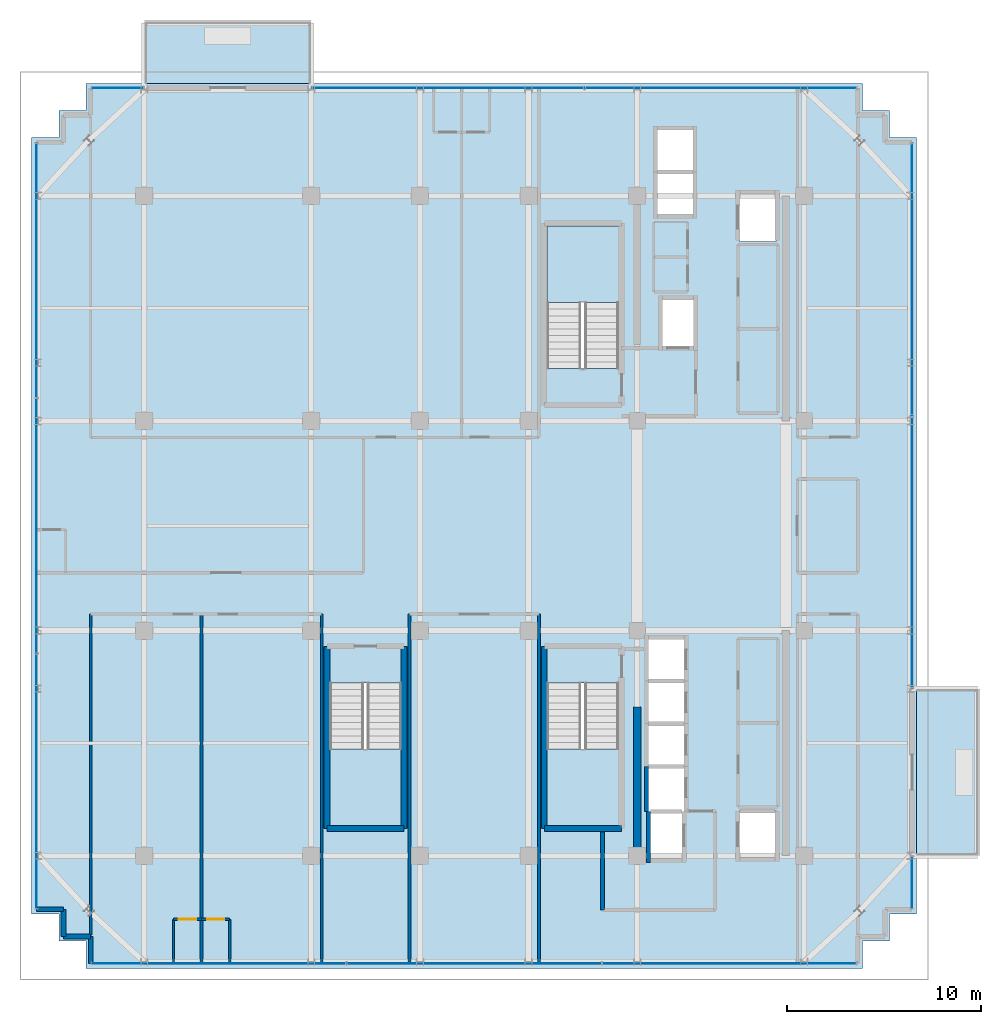
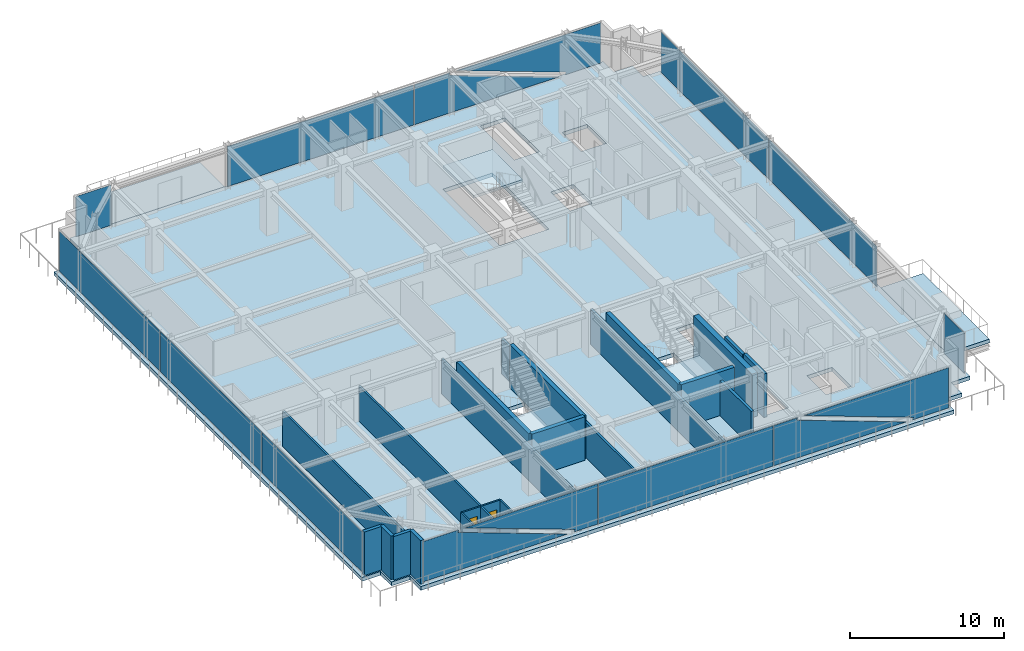
# One storey, part 23 of 32: 22 walls, 12 plates, 6 slabs, 2 doors, 2 openings, 9 elements without a shape of their own.
"""IFC4 building model written with IfcOpenShell, lengths in metres."""

from ifc_helpers import new_model, si_unit, direction, frame, frame_2d, origin, origin_2d, place, context, subcontext, project, spatial, polyline, rectangle, outline, extrude, source, transform, mapped, material, layer, layer_set, type_object, element, fill, aggregate, save


model = new_model("IFC4")

# Units and contexts
model_context = context("Model", 3, precision=1e-05, world=origin(), true_north=direction((0.0, 1.0)))
body_context = subcontext(model_context, "Body", "Model", "MODEL_VIEW")
ifc_project = project(units=[si_unit("LENGTHUNIT", "METRE"), si_unit("AREAUNIT", "SQUARE_METRE"), si_unit("VOLUMEUNIT", "CUBIC_METRE"), si_unit("PLANEANGLEUNIT", "RADIAN"), si_unit("MASSUNIT", "GRAM", prefix="KILO")], contexts=[model_context])

# Site, building, storey
site_placement = place(None, origin())
site = spatial("IfcSite", under=ifc_project, at=site_placement, CompositionType="ELEMENT")
building_placement = place(site_placement, origin())
building = spatial("IfcBuilding", under=site, at=building_placement, Name="Nahalor Promenade Grand Hotel", CompositionType="ELEMENT")
storey_placement = place(building_placement, frame((0.0, 0.0, 266.300048828125)))
storey = spatial("IfcBuildingStorey", under=building, at=storey_placement, Name="L68", CompositionType="ELEMENT", Elevation=266.300048828125)

# Curtain wall, plates
ifc_material_1 = material(Name="Anodised Bronze Aluminium EN AW-6063 T6", Category="aluminium")
curtain_wall_type = type_object("IfcCurtainWallType", Name="CW2 Typical Hotel Flush Bronze Unitised Curtain Wall", PredefinedType="USERDEFINED", material=ifc_material_1)
curtain_wall_1_placement = place(storey_placement, origin())
curtain_wall_1 = element("IfcCurtainWall", 1, at=curtain_wall_1_placement, inside=storey, type_object=curtain_wall_type, Name="L68 Curtain Wall CW-L68-S-1", ObjectType="UNITISED_CURTAIN_WALL", PredefinedType="USERDEFINED")
ifc_material_2 = material(Name="Low-E Laminated Solar Glass", Category="glass")
ifc_layer_1 = layer(ifc_material_2, 0.028076171875)
ifc_layer_set_1 = layer_set([ifc_layer_1], Name="Low-E Laminated Solar Glass")
plate_type = type_object("IfcPlateType", Name="CWP2 Bronze Low-E Vision IGU 28mm", PredefinedType="CURTAIN_PANEL", material=ifc_layer_set_1)
plate_1_placement = place(storey_placement, frame((-13.156982421875, -22.56005859375, 0.1298828125), z_axis=(0.0, 0.0, 1.0), x_axis=(1.0, 0.0, 0.0)))
plate_1 = element("IfcPlate", 2, at=plate_1_placement, type_object=plate_type, Name="CW-L68-S-1 Glazing Panel 0-0", PredefinedType="CURTAIN_PANEL", context=body_context, shape_type="SweptSolid", body=[
    extrude(outline(polyline([(-6.537841796875, 3.18994140625), (-6.537841796875, 0.0), (4.302978515625, 0.0), (-3.926513671875, 3.01416015625), (-3.8623046875, 3.18994140625), (-6.537841796875, 3.18994140625)])), frame((0.0, 0.01416015625, 0.0), z_axis=(0.0, -1.0, 0.0), x_axis=(1.0, 0.0, 0.0)), (0.0, 0.0, 1.0), 0.028076171875),
    extrude(outline(polyline([(6.537841796875, 0.0), (6.537841796875, 3.18994140625), (-3.388671875, 3.18994140625), (4.8408203125, 0.17578125), (4.7763671875, 0.0), (6.537841796875, 0.0)])), frame((0.0, 0.01416015625, 0.0), z_axis=(0.0, -1.0, 0.0), x_axis=(1.0, 0.0, 0.0)), (0.0, 0.0, 1.0), 0.028076171875),
])
plate_2_placement = place(storey_placement, frame((13.156982421875, -22.56005859375, 0.1298828125), z_axis=(0.0, 0.0, 1.0), x_axis=(1.0, 0.0, 0.0)))
plate_2 = element("IfcPlate", 3, at=plate_2_placement, type_object=plate_type, Name="CW-L68-S-1 Glazing Panel 2-0", PredefinedType="CURTAIN_PANEL", context=body_context, shape_type="SweptSolid", body=[
    extrude(outline(polyline([(-6.537841796875, 3.18994140625), (-6.537841796875, 0.0), (3.388671875, 0.0), (-4.8408203125, 3.01416015625), (-4.7763671875, 3.18994140625), (-6.537841796875, 3.18994140625)])), frame((0.0, 0.01416015625, 0.0), z_axis=(0.0, -1.0, 0.0), x_axis=(1.0, 0.0, 0.0)), (0.0, 0.0, 1.0), 0.028076171875),
    extrude(outline(polyline([(6.537841796875, 0.0), (6.537841796875, 3.18994140625), (-4.302978515625, 3.18994140625), (3.926513671875, 0.17578125), (3.8623046875, 0.0), (6.537841796875, 0.0)])), frame((0.0, 0.01416015625, 0.0), z_axis=(0.0, -1.0, 0.0), x_axis=(1.0, 0.0, 0.0)), (0.0, 0.0, 1.0), 0.028076171875),
])

# Curtain wall, plate
curtain_wall_2_placement = place(storey_placement, origin())
curtain_wall_2 = element("IfcCurtainWall", 4, at=curtain_wall_2_placement, inside=storey, type_object=curtain_wall_type, Name="L68 Curtain Wall CW-L68-N-3", ObjectType="UNITISED_CURTAIN_WALL", PredefinedType="USERDEFINED")
plate_3_placement = place(storey_placement, frame((12.703857421875, 22.56005859375, 0.1298828125), z_axis=(0.0, 0.0, 1.0), x_axis=(1.0, 0.0, 0.0)))
plate_3 = element("IfcPlate", 5, at=plate_3_placement, type_object=plate_type, Name="CW-L68-N-3 Glazing Panel 1-0", PredefinedType="CURTAIN_PANEL", context=body_context, shape_type="SweptSolid", body=[
    extrude(outline(polyline([(-6.9912109375, 3.18994140625), (-6.9912109375, 0.0), (3.842041015625, 0.0), (-4.387451171875, 3.01416015625), (-4.322998046875, 3.18994140625), (-6.9912109375, 3.18994140625)])), frame((0.0, 0.01416015625, 0.0), z_axis=(0.0, -1.0, 0.0), x_axis=(1.0, 0.0, 0.0)), (0.0, 0.0, 1.0), 0.028076171875),
    extrude(outline(polyline([(6.9912109375, 0.0), (6.9912109375, 3.18994140625), (-3.849609375, 3.18994140625), (4.3798828125, 0.17578125), (4.3154296875, 0.0), (6.9912109375, 0.0)])), frame((0.0, 0.01416015625, 0.0), z_axis=(0.0, -1.0, 0.0), x_axis=(1.0, 0.0, 0.0)), (0.0, 0.0, 1.0), 0.028076171875),
])

# Stair, slab
ifc_material_3 = material(Name="Concrete B-50 (C40/50)", Category="concrete")
stair_type_1 = type_object("IfcStairType", Name="Stair-ST1", PredefinedType="HALF_TURN_STAIR", material=ifc_material_3)
stair_1_placement = place(storey_placement, origin())
stair_1 = element("IfcStair", 6, at=stair_1_placement, inside=storey, type_object=stair_type_1, Name="L68 ST1", PredefinedType="HALF_TURN_STAIR")
ifc_layer_2 = layer(ifc_material_3, 0.199951171875)
ifc_layer_set_2 = layer_set([ifc_layer_2], Name="Concrete B-50 (C40/50)")
slab_type_1 = type_object("IfcSlabType", Name="Landing-ST1", PredefinedType="LANDING", material=ifc_layer_set_2)
slab_1_placement = place(storey_placement, frame((0.0, 0.0, 1.675048828125)))
slab_1 = element("IfcSlab", 7, at=slab_1_placement, type_object=slab_type_1, Name="ST1 landing 1", PredefinedType="LANDING", context=body_context, shape_type="SweptSolid", body=[
    extrude(outline(polyline([(7.449951171875, 11.5), (7.449951171875, 15.449951171875), (3.75, 15.449951171875), (3.75, 11.5), (7.449951171875, 11.5)])), origin(), (0.0, 0.0, 1.0), 0.199951171875),
])
aggregate(stair_1, [slab_1])

stair_type_2 = type_object("IfcStairType", Name="Stair-ST2", PredefinedType="HALF_TURN_STAIR", material=ifc_material_3)
stair_2_placement = place(storey_placement, origin())
stair_2 = element("IfcStair", 8, at=stair_2_placement, inside=storey, type_object=stair_type_2, Name="L68 ST2", PredefinedType="HALF_TURN_STAIR")
ifc_layer_3 = layer(ifc_material_3, 0.2099609375)
ifc_layer_set_3 = layer_set([ifc_layer_3], Name="Concrete B-50 (C40/50)")
slab_type_2 = type_object("IfcSlabType", Name="Landing-ST2", PredefinedType="LANDING", material=ifc_layer_set_3)
slab_2_placement = place(storey_placement, frame((0.0, 0.0, 1.6650390625)))
slab_2 = element("IfcSlab", 9, at=slab_2_placement, type_object=slab_type_2, Name="ST2 landing 1", PredefinedType="LANDING", context=body_context, shape_type="SweptSolid", body=[
    extrude(outline(polyline([(3.75, -11.5), (3.75, -15.449951171875), (7.449951171875, -15.449951171875), (7.449951171875, -11.5), (3.75, -11.5)])), origin(), (0.0, 0.0, 1.0), 0.2099609375),
])
aggregate(stair_2, [slab_2])

stair_type_3 = type_object("IfcStairType", Name="Stair-ST3", PredefinedType="HALF_TURN_STAIR", material=ifc_material_3)
stair_3_placement = place(storey_placement, origin())
stair_3 = element("IfcStair", 10, at=stair_3_placement, inside=storey, type_object=stair_type_3, Name="L68 ST3", PredefinedType="HALF_TURN_STAIR")
ifc_layer_4 = layer(ifc_material_3, 0.219970703125)
ifc_layer_set_4 = layer_set([ifc_layer_4], Name="Concrete B-50 (C40/50)")
slab_type_3 = type_object("IfcSlabType", Name="Landing-ST3", PredefinedType="LANDING", material=ifc_layer_set_4)
slab_3_placement = place(storey_placement, frame((0.0, 0.0, 1.655029296875)))
slab_3 = element("IfcSlab", 11, at=slab_3_placement, type_object=slab_type_3, Name="ST3 landing 1", PredefinedType="LANDING", context=body_context, shape_type="SweptSolid", body=[
    extrude(outline(polyline([(-7.449951171875, -11.5), (-7.449951171875, -15.449951171875), (-3.75, -15.449951171875), (-3.75, -11.5), (-7.449951171875, -11.5)])), origin(), (0.0, 0.0, 1.0), 0.219970703125),
])
aggregate(stair_3, [slab_3])

# Slabs
ifc_layer_5 = layer(ifc_material_3, 0.280029296875)
ifc_layer_set_5 = layer_set([ifc_layer_5], Name="Concrete B-50 (C40/50)")
slab_type_4 = type_object("IfcSlabType", Name="Slab-Balcony-280", PredefinedType="FLOOR", material=ifc_layer_set_5)
slab_4_placement = place(storey_placement, frame((0.0, 0.0, -0.280029296875)))
element("IfcSlab", 12, at=slab_4_placement, inside=storey, type_object=slab_type_4, Name="L68 Cantilevered Planted Balcony 1", PredefinedType="FLOOR", context=body_context, shape_type="SweptSolid", body=[
    extrude(outline(polyline([(-17.0, 22.800048828125), (-8.39990234375, 22.800048828125), (-8.39990234375, 25.989990234375), (-17.0, 25.989990234375), (-17.0, 22.800048828125)])), origin(), (0.0, 0.0, 1.0), 0.280029296875),
])
slab_5_placement = place(storey_placement, frame((0.0, 0.0, -0.280029296875)))
element("IfcSlab", 13, at=slab_5_placement, inside=storey, type_object=slab_type_4, Name="L68 Cantilevered Planted Balcony 2", PredefinedType="FLOOR", context=body_context, shape_type="SweptSolid", body=[
    extrude(outline(polyline([(22.800048828125, -17.0), (26.0, -17.0), (26.0, -8.39990234375), (22.800048828125, -8.39990234375), (22.800048828125, -17.0)])), origin(), (0.0, 0.0, 1.0), 0.280029296875),
])
ifc_layer_6 = layer(ifc_material_3, 0.300048828125)
ifc_layer_set_6 = layer_set([ifc_layer_6], Name="Concrete B-50 (C40/50)")
slab_type_5 = type_object("IfcSlabType", Name="Slab-TowerZ5-300", PredefinedType="FLOOR", material=ifc_layer_set_6)
slab_6_placement = place(storey_placement, frame((0.0, 0.0, -0.300048828125)))
element("IfcSlab", 14, at=slab_6_placement, inside=storey, type_object=slab_type_5, Name="L68 Suspended Structural Floor Slab", PredefinedType="FLOOR", context=body_context, shape_type="SweptSolid", body=[
    extrude(outline(polyline([(-20.0, -22.800048828125), (20.0, -22.800048828125), (20.0, -21.39990234375), (21.39990234375, -21.39990234375), (21.39990234375, -20.0), (22.800048828125, -20.0), (22.800048828125, 20.0), (21.39990234375, 20.0), (21.39990234375, 21.39990234375), (20.0, 21.39990234375), (20.0, 22.800048828125), (-20.0, 22.800048828125), (-20.0, 21.39990234375), (-21.39990234375, 21.39990234375), (-21.39990234375, 20.0), (-22.800048828125, 20.0), (-22.800048828125, -20.0), (-21.39990234375, -20.0), (-21.39990234375, -21.39990234375), (-20.0, -21.39990234375), (-20.0, -22.800048828125)]), holes=[polyline([(3.75, 8.10009765625), (7.449951171875, 8.10009765625), (7.449951171875, 15.449951171875), (3.75, 15.449951171875), (3.75, 8.10009765625)]), polyline([(3.75, -15.449951171875), (7.449951171875, -15.449951171875), (7.449951171875, -8.10009765625), (3.75, -8.10009765625), (3.75, -15.449951171875)]), polyline([(-7.449951171875, -15.449951171875), (-3.75, -15.449951171875), (-3.75, -8.10009765625), (-7.449951171875, -8.10009765625), (-7.449951171875, -15.449951171875)]), polyline([(8.9599609375, -17.18994140625), (10.840087890625, -17.18994140625), (10.840087890625, -5.81005859375), (8.9599609375, -5.81005859375), (8.9599609375, -17.18994140625)]), polyline([(9.409912109375, 16.010009765625), (11.2900390625, 16.010009765625), (11.2900390625, 20.43994140625), (9.409912109375, 20.43994140625), (9.409912109375, 16.010009765625)]), polyline([(9.659912109375, 9.2099609375), (11.340087890625, 9.2099609375), (11.340087890625, 11.68994140625), (9.659912109375, 11.68994140625), (9.659912109375, 9.2099609375)]), polyline([(13.659912109375, 14.659912109375), (15.5400390625, 14.659912109375), (15.5400390625, 17.139892578125), (13.659912109375, 17.139892578125), (13.659912109375, 14.659912109375)]), polyline([(13.659912109375, -17.139892578125), (15.5400390625, -17.139892578125), (15.5400390625, -14.659912109375), (13.659912109375, -14.659912109375), (13.659912109375, -17.139892578125)])]), origin(), (0.0, 0.0, 1.0), 0.300048828125),
])

# Plate
shared_shape_1 = source(origin(), body_context, "Body", "SweptSolid", [
    extrude(rectangle(XDim=13.1083984375, YDim=0.028076171875, at=origin_2d()), origin(), (0.0, 0.0, 1.0), 3.18994140625),
])
plate_4_placement = place(storey_placement, frame((0.0, -22.56005859375, 0.1298828125), z_axis=(0.0, 0.0, 1.0), x_axis=(1.0, 0.0, 0.0)))
plate_4 = element("IfcPlate", 15, at=plate_4_placement, type_object=plate_type, Name="CW-L68-S-1 Glazing Panel 1-0", PredefinedType="CURTAIN_PANEL", context=body_context, shape_type="MappedRepresentation", body=[
    mapped(shared_shape_1, transform((0.0, 0.0, 0.0), scale=1.0)),
])

aggregate(curtain_wall_1, [plate_1, plate_4, plate_2])

# Curtain wall, plate
curtain_wall_3_placement = place(storey_placement, origin())
curtain_wall_3 = element("IfcCurtainWall", 16, at=curtain_wall_3_placement, inside=storey, type_object=curtain_wall_type, Name="L68 Curtain Wall CW-L68-W-1", ObjectType="UNITISED_CURTAIN_WALL", PredefinedType="USERDEFINED")
plate_5_placement = place(storey_placement, frame((-22.56005859375, 0.0, 0.1298828125), z_axis=(0.0, 0.0, 1.0), x_axis=(0.0, 1.0, 0.0)))
plate_5 = element("IfcPlate", 17, at=plate_5_placement, type_object=plate_type, Name="CW-L68-W-1 Glazing Panel 1-0", PredefinedType="CURTAIN_PANEL", context=body_context, shape_type="MappedRepresentation", body=[
    mapped(shared_shape_1, transform((0.0, 0.0, 0.0), scale=1.0)),
])

curtain_wall_4_placement = place(storey_placement, origin())
curtain_wall_4 = element("IfcCurtainWall", 18, at=curtain_wall_4_placement, inside=storey, type_object=curtain_wall_type, Name="L68 Curtain Wall CW-L68-N-1", ObjectType="UNITISED_CURTAIN_WALL", PredefinedType="USERDEFINED")
shared_shape_2 = source(origin(), body_context, "Body", "SweptSolid", [
    extrude(rectangle(XDim=2.6298828125, YDim=0.028076171875, at=origin_2d()), origin(), (0.0, 0.0, 1.0), 3.18994140625),
])
plate_6_placement = place(storey_placement, frame((-18.3798828125, 22.56005859375, 0.1298828125), z_axis=(0.0, 0.0, 1.0), x_axis=(1.0, 0.0, 0.0)))
plate_6 = element("IfcPlate", 19, at=plate_6_placement, type_object=plate_type, Name="CW-L68-N-1 Glazing Panel 0-0", PredefinedType="CURTAIN_PANEL", context=body_context, shape_type="MappedRepresentation", body=[
    mapped(shared_shape_2, transform((0.0, 0.0, 0.0), scale=1.0)),
])
aggregate(curtain_wall_4, [plate_6])

curtain_wall_5_placement = place(storey_placement, origin())
curtain_wall_5 = element("IfcCurtainWall", 20, at=curtain_wall_5_placement, inside=storey, type_object=curtain_wall_type, Name="L68 Curtain Wall CW-L68-E-1", ObjectType="UNITISED_CURTAIN_WALL", PredefinedType="USERDEFINED")
plate_7_placement = place(storey_placement, frame((22.56005859375, -18.3798828125, 0.1298828125), z_axis=(0.0, 0.0, 1.0), x_axis=(0.0, 1.0, 0.0)))
plate_7 = element("IfcPlate", 21, at=plate_7_placement, type_object=plate_type, Name="CW-L68-E-1 Glazing Panel 0-0", PredefinedType="CURTAIN_PANEL", context=body_context, shape_type="MappedRepresentation", body=[
    mapped(shared_shape_2, transform((0.0, 0.0, 0.0), scale=1.0)),
])
aggregate(curtain_wall_5, [plate_7])

# Plate
shared_shape_3 = source(origin(), body_context, "Body", "SweptSolid", [
    extrude(rectangle(XDim=13.982421875, YDim=0.028076171875, at=origin_2d()), origin(), (0.0, 0.0, 1.0), 3.18994140625),
])
plate_8_placement = place(storey_placement, frame((-1.34375, 22.56005859375, 0.1298828125), z_axis=(0.0, 0.0, 1.0), x_axis=(1.0, 0.0, 0.0)))
plate_8 = element("IfcPlate", 22, at=plate_8_placement, type_object=plate_type, Name="CW-L68-N-3 Glazing Panel 0-0", PredefinedType="CURTAIN_PANEL", context=body_context, shape_type="MappedRepresentation", body=[
    mapped(shared_shape_3, transform((0.0, 0.0, 0.0), scale=1.0)),
])

aggregate(curtain_wall_2, [plate_8, plate_3])

# Curtain wall, plates
curtain_wall_6_placement = place(storey_placement, origin())
curtain_wall_6 = element("IfcCurtainWall", 23, at=curtain_wall_6_placement, inside=storey, type_object=curtain_wall_type, Name="L68 Curtain Wall CW-L68-E-3", ObjectType="UNITISED_CURTAIN_WALL", PredefinedType="USERDEFINED")
plate_9_placement = place(storey_placement, frame((22.56005859375, -1.34375, 0.1298828125), z_axis=(0.0, 0.0, 1.0), x_axis=(0.0, 1.0, 0.0)))
plate_9 = element("IfcPlate", 24, at=plate_9_placement, type_object=plate_type, Name="CW-L68-E-3 Glazing Panel 0-0", PredefinedType="CURTAIN_PANEL", context=body_context, shape_type="MappedRepresentation", body=[
    mapped(shared_shape_3, transform((0.0, 0.0, 0.0), scale=1.0)),
])
plate_10_placement = place(storey_placement, frame((22.56005859375, 12.703857421875, 0.1298828125), z_axis=(0.0, 0.0, 1.0), x_axis=(0.0, 1.0, 0.0)))
plate_10 = element("IfcPlate", 25, at=plate_10_placement, type_object=plate_type, Name="CW-L68-E-3 Glazing Panel 1-0", PredefinedType="CURTAIN_PANEL", context=body_context, shape_type="MappedRepresentation", body=[
    mapped(shared_shape_3, transform((0.0, 0.0, 0.0), scale=1.0)),
])
aggregate(curtain_wall_6, [plate_9, plate_10])

# Plate
shared_shape_4 = source(origin(), body_context, "Body", "SweptSolid", [
    extrude(rectangle(XDim=13.075927734375, YDim=0.028076171875, at=origin_2d()), origin(), (0.0, 0.0, 1.0), 3.18994140625),
])
plate_11_placement = place(storey_placement, frame((-22.56005859375, -13.156982421875, 0.1298828125), z_axis=(0.0, 0.0, 1.0), x_axis=(0.0, 1.0, 0.0)))
plate_11 = element("IfcPlate", 26, at=plate_11_placement, type_object=plate_type, Name="CW-L68-W-1 Glazing Panel 0-0", PredefinedType="CURTAIN_PANEL", context=body_context, shape_type="MappedRepresentation", body=[
    mapped(shared_shape_4, transform((0.0, 0.0, 0.0), scale=1.0)),
])

plate_12_placement = place(storey_placement, frame((-22.56005859375, 13.156982421875, 0.1298828125), z_axis=(0.0, 0.0, 1.0), x_axis=(0.0, 1.0, 0.0)))
plate_12 = element("IfcPlate", 27, at=plate_12_placement, type_object=plate_type, Name="CW-L68-W-1 Glazing Panel 2-0", PredefinedType="CURTAIN_PANEL", context=body_context, shape_type="MappedRepresentation", body=[
    mapped(shared_shape_4, transform((0.0, 0.0, 0.0), scale=1.0)),
])

aggregate(curtain_wall_3, [plate_11, plate_5, plate_12])

# Walls
ifc_layer_7 = layer(ifc_material_3, 0.39990234375)
ifc_layer_set_7 = layer_set([ifc_layer_7], Name="Concrete B-50 (C40/50)")
wall_type_1 = type_object("IfcWallType", Name="Wall-CoreShear-400", PredefinedType="SHEAR", material=ifc_layer_set_7)
shared_shape_5 = source(origin(), body_context, "Body", "SweptSolid", [
    extrude(rectangle(XDim=7.64990234375, YDim=0.39990234375, at=frame_2d((3.824951171875, 0.0))), origin(), (0.0, 0.0, 1.0), 3.449951171875),
])
wall_1_placement = place(storey_placement, frame((8.39990234375, -17.0, 0.0), z_axis=(0.0, 0.0, 1.0), x_axis=(0.0, 1.0, 0.0)))
element("IfcWall", 28, at=wall_1_placement, inside=storey, type_object=wall_type_1, Name="CWALL-L68-SW", PredefinedType="SHEAR", context=body_context, shape_type="MappedRepresentation", body=[
    mapped(shared_shape_5, transform((0.0, 0.0, 0.0), scale=1.0)),
])
ifc_layer_8 = layer(ifc_material_3, 0.300048828125)
ifc_layer_set_8 = layer_set([ifc_layer_8], Name="Concrete B-50 (C40/50)")
wall_type_2 = type_object("IfcWallType", Name="Wall-ShaftShear-300", PredefinedType="SHEAR", material=ifc_layer_set_8)
shared_shape_6 = source(origin(), body_context, "Body", "SweptSolid", [
    extrude(rectangle(XDim=3.97998046875, YDim=0.300048828125, at=frame_2d((1.989990234375, 0.0))), origin(), (0.0, 0.0, 1.0), 3.449951171875),
])
for number, where, z_axis, x_axis, name in (
    (29, (3.610107421875, -15.590087890625, 0.0), (0.0, 0.0, 1.0), (1.0, 0.0, 0.0), "L68 Exit Stair ST2 Shaft Wall S"),
    (30, (-7.590087890625, -15.590087890625, 0.0), (0.0, 0.0, 1.0), (1.0, 0.0, 0.0), "L68 Exit Stair ST3 Shaft Wall S"),
):
    element("IfcWall", number, at=place(storey_placement, frame(where, z_axis=z_axis, x_axis=x_axis)), inside=storey, type_object=wall_type_2, Name=name, PredefinedType="SHEAR", context=body_context, shape_type="MappedRepresentation", body=[
        mapped(shared_shape_6, transform((0.0, 0.0, 0.0), scale=1.0)),
    ])
shared_shape_7 = source(origin(), body_context, "Body", "SweptSolid", [
    extrude(rectangle(XDim=9.380126953125, YDim=0.300048828125, at=frame_2d((4.68994140625, 0.0))), origin(), (0.0, 0.0, 1.0), 3.449951171875),
])
for number, where, z_axis, x_axis, name in (
    (31, (3.610107421875, -15.590087890625, 0.0), (0.0, 0.0, 1.0), (0.0, 1.0, 0.0), "L68 Exit Stair ST2 Shaft Wall W"),
    (32, (-7.590087890625, -15.590087890625, 0.0), (0.0, 0.0, 1.0), (0.0, 1.0, 0.0), "L68 Exit Stair ST3 Shaft Wall W"),
    (33, (-3.610107421875, -15.590087890625, 0.0), (0.0, 0.0, 1.0), (0.0, 1.0, 0.0), "L68 Exit Stair ST3 Shaft Wall E"),
):
    element("IfcWall", number, at=place(storey_placement, frame(where, z_axis=z_axis, x_axis=x_axis)), inside=storey, type_object=wall_type_2, Name=name, PredefinedType="SHEAR", context=body_context, shape_type="MappedRepresentation", body=[
        mapped(shared_shape_7, transform((0.0, 0.0, 0.0), scale=1.0)),
    ])
ifc_layer_9 = layer(ifc_material_3, 0.219970703125)
ifc_layer_set_9 = layer_set([ifc_layer_9], Name="Concrete B-50 (C40/50)")
wall_type_3 = type_object("IfcWallType", Name="Wall-LiftShaft-220", PredefinedType="SHEAR", material=ifc_layer_set_9)
shared_shape_8 = source(origin(), body_context, "Body", "SweptSolid", [
    extrude(rectangle(XDim=2.3251953125, YDim=0.219970703125, at=frame_2d((1.16259765625, 0.0))), origin(), (0.0, 0.0, 1.0), 3.449951171875),
])
wall_2_placement = place(storey_placement, frame((8.8798828125, -14.72509765625, 0.0), z_axis=(0.0, 0.0, 1.0), x_axis=(0.0, 1.0, 0.0)))
element("IfcWall", 34, at=wall_2_placement, inside=storey, type_object=wall_type_3, Name="L68 Lift PL12 Hoistway Wall W", PredefinedType="SHEAR", context=body_context, shape_type="MappedRepresentation", body=[
    mapped(shared_shape_8, transform((0.0, 0.0, 0.0), scale=1.0)),
])
shared_shape_9 = source(origin(), body_context, "Body", "SweptSolid", [
    extrude(rectangle(XDim=2.635009765625, YDim=0.219970703125, at=frame_2d((1.3173828125, 0.0))), origin(), (0.0, 0.0, 1.0), 3.449951171875),
])
wall_3_placement = place(storey_placement, frame((8.97998046875, -17.360107421875, 0.0), z_axis=(0.0, 0.0, 1.0), x_axis=(0.0, 1.0, 0.0)))
element("IfcWall", 35, at=wall_3_placement, inside=storey, type_object=wall_type_3, Name="L68 Lift FL2 Hoistway Wall W", PredefinedType="SHEAR", context=body_context, shape_type="MappedRepresentation", body=[
    mapped(shared_shape_9, transform((0.0, 0.0, 0.0), scale=1.0)),
])
ifc_material_4 = material(Name="Concrete B-40 (C32/40)", Category="concrete")
ifc_layer_10 = layer(ifc_material_4, 0.25)
ifc_layer_set_10 = layer_set([ifc_layer_10], Name="Concrete B-40 (C32/40)")
wall_type_4 = type_object("IfcWallType", Name="Wall-BronzePier-250", PredefinedType="STANDARD", material=ifc_layer_set_10)
shared_shape_10 = source(origin(), body_context, "Body", "SweptSolid", [
    extrude(rectangle(XDim=1.400146484375, YDim=0.25, at=frame_2d((0.7001953125, 0.0))), origin(), (0.0, 0.0, 1.0), 3.449951171875),
])
for number, where, z_axis, x_axis, name in (
    (36, (-22.56005859375, -19.760009765625, 0.0), (0.0, 0.0, 1.0), (1.0, 0.0, 0.0), "W-L68-SR-13"),
    (37, (-19.760009765625, -22.56005859375, 0.0), (0.0, 0.0, 1.0), (0.0, 1.0, 0.0), "W-L68-SR-16"),
):
    element("IfcWall", number, at=place(storey_placement, frame(where, z_axis=z_axis, x_axis=x_axis)), inside=storey, type_object=wall_type_4, Name=name, PredefinedType="STANDARD", context=body_context, shape_type="MappedRepresentation", body=[
        mapped(shared_shape_10, transform((0.0, 0.0, 0.0), scale=1.0)),
    ])
shared_shape_11 = source(origin(), body_context, "Body", "SweptSolid", [
    extrude(rectangle(XDim=1.39990234375, YDim=0.25, at=frame_2d((0.699951171875, 0.0))), origin(), (0.0, 0.0, 1.0), 3.449951171875),
])
for number, where, z_axis, x_axis, name in (
    (38, (-21.159912109375, -21.159912109375, 0.0), (0.0, 0.0, 1.0), (0.0, 1.0, 0.0), "W-L68-SR-14"),
    (39, (-21.159912109375, -21.159912109375, 0.0), (0.0, 0.0, 1.0), (1.0, 0.0, 0.0), "W-L68-SR-15"),
):
    element("IfcWall", number, at=place(storey_placement, frame(where, z_axis=z_axis, x_axis=x_axis)), inside=storey, type_object=wall_type_4, Name=name, PredefinedType="STANDARD", context=body_context, shape_type="MappedRepresentation", body=[
        mapped(shared_shape_11, transform((0.0, 0.0, 0.0), scale=1.0)),
    ])
ifc_layer_11 = layer(ifc_material_4, 0.199951171875)
ifc_layer_set_11 = layer_set([ifc_layer_11], Name="Concrete B-40 (C32/40)")
wall_type_5 = type_object("IfcWallType", Name="Wall-PartFire-200", PredefinedType="PARTITIONING", material=ifc_layer_set_11)
shared_shape_12 = source(origin(), body_context, "Body", "SweptSolid", [
    extrude(rectangle(XDim=4.030029296875, YDim=0.199951171875, at=frame_2d((2.01513671875, 0.0))), origin(), (0.0, 0.0, 1.0), 2.7900390625),
])
wall_4_placement = place(storey_placement, frame((6.60009765625, -19.800048828125, 0.0), z_axis=(0.0, 0.0, 1.0), x_axis=(0.0, 1.0, 0.0)))
element("IfcWall", 40, at=wall_4_placement, inside=storey, type_object=wall_type_5, Name="W-L68-FF2-W1", PredefinedType="PARTITIONING", context=body_context, shape_type="MappedRepresentation", body=[
    mapped(shared_shape_12, transform((0.0, 0.0, 0.0), scale=1.0)),
])
ifc_material_5 = material(Name="Acoustic Mineral Gypsum", Category="gypsum")
ifc_layer_12 = layer(ifc_material_5, 0.159912109375)
ifc_layer_set_12 = layer_set([ifc_layer_12], Name="Acoustic Mineral Gypsum")
wall_type_6 = type_object("IfcWallType", Name="Wall-PartCorridor-160", PredefinedType="PARTITIONING", material=ifc_layer_set_12)
shared_shape_13 = source(origin(), body_context, "Body", "SweptSolid", [
    extrude(rectangle(XDim=17.949951171875, YDim=0.159912109375, at=frame_2d((8.97509765625, 0.0))), origin(), (0.0, 0.0, 1.0), 2.7900390625),
])
for number, where, z_axis, x_axis, name in (
    (41, (-3.340087890625, -22.5, 0.0), (0.0, 0.0, 1.0), (0.0, 1.0, 0.0), "W-L68-SCB-W"),
    (42, (3.340087890625, -22.5, 0.0), (0.0, 0.0, 1.0), (0.0, 1.0, 0.0), "W-L68-SCB-E"),
):
    element("IfcWall", number, at=place(storey_placement, frame(where, z_axis=z_axis, x_axis=x_axis)), inside=storey, type_object=wall_type_6, Name=name, PredefinedType="PARTITIONING", context=body_context, shape_type="MappedRepresentation", body=[
        mapped(shared_shape_13, transform((0.0, 0.0, 0.0), scale=1.0)),
    ])
ifc_layer_13 = layer(ifc_material_5, 0.139892578125)
ifc_layer_set_13 = layer_set([ifc_layer_13], Name="Acoustic Mineral Gypsum")
wall_type_7 = type_object("IfcWallType", Name="Wall-PartSuite-140", PredefinedType="PARTITIONING", material=ifc_layer_set_13)
shared_shape_14 = source(origin(), body_context, "Body", "SweptSolid", [
    extrude(rectangle(XDim=16.530029296875, YDim=0.139892578125, at=frame_2d((8.26513671875, 0.0))), origin(), (0.0, 0.0, 1.0), 2.7900390625),
])
wall_5_placement = place(storey_placement, frame((-19.760009765625, -21.080078125, 0.0), z_axis=(0.0, 0.0, 1.0), x_axis=(0.0, 1.0, 0.0)))
element("IfcWall", 43, at=wall_5_placement, inside=storey, type_object=wall_type_7, Name="W-L68-SW-ENDW", PredefinedType="PARTITIONING", context=body_context, shape_type="MappedRepresentation", body=[
    mapped(shared_shape_14, transform((0.0, 0.0, 0.0), scale=1.0)),
])
shared_shape_15 = source(origin(), body_context, "Body", "SweptSolid", [
    extrude(rectangle(XDim=17.949951171875, YDim=0.139892578125, at=frame_2d((8.97509765625, 0.0))), origin(), (0.0, 0.0, 1.0), 2.7900390625),
])
for number, where, z_axis, x_axis, name in (
    (44, (-7.860107421875, -22.5, 0.0), (0.0, 0.0, 1.0), (0.0, 1.0, 0.0), "W-L68-SW-ENDE"),
    (45, (-14.048095703125, -22.5, 0.0), (0.0, 0.0, 1.0), (0.0, 1.0, 0.0), "W-L68-SP-1"),
):
    element("IfcWall", number, at=place(storey_placement, frame(where, z_axis=z_axis, x_axis=x_axis)), inside=storey, type_object=wall_type_7, Name=name, PredefinedType="PARTITIONING", context=body_context, shape_type="MappedRepresentation", body=[
        mapped(shared_shape_15, transform((0.0, 0.0, 0.0), scale=1.0)),
    ])

# Wall, opening, door
ifc_layer_14 = layer(ifc_material_5, 0.1201171875)
ifc_layer_set_14 = layer_set([ifc_layer_14], Name="Acoustic Mineral Gypsum")
wall_type_8 = type_object("IfcWallType", Name="Wall-PartBath-120", PredefinedType="PARTITIONING", material=ifc_layer_set_14)
shared_shape_16 = source(origin(), body_context, "Body", "SweptSolid", [
    extrude(rectangle(XDim=1.449951171875, YDim=0.1201171875, at=frame_2d((0.72509765625, 0.0))), origin(), (0.0, 0.0, 1.0), 2.7900390625),
])
wall_6_placement = place(storey_placement, frame((-15.498046875, -20.280029296875, 0.0), z_axis=(0.0, 0.0, 1.0), x_axis=(1.0, 0.0, 0.0)))
wall_6 = element("IfcWall", 46, at=wall_6_placement, inside=storey, type_object=wall_type_8, Name="W-L68-S1-BH", PredefinedType="PARTITIONING", context=body_context, shape_type="MappedRepresentation", body=[
    mapped(shared_shape_16, transform((0.0, 0.0, 0.0), scale=1.0)),
])
opening_1_placement = place(wall_6_placement, frame((0.284912109375, 0.0, 0.0)))
opening_1 = element("IfcOpeningElement", 47, at=opening_1_placement, cuts=wall_6, Name="Opening D-03", PredefinedType="OPENING", context=body_context, shape_type="SweptSolid", body=[
    extrude(rectangle(XDim=0.8798828125, YDim=2.10009765625, at=frame_2d((0.43994140625, 1.050048828125))), frame((0.0, 0.070068359375, 0.0), z_axis=(0.0, -1.0, 0.0), x_axis=(1.0, 0.0, 0.0)), (0.0, 0.0, 1.0), 0.14013671875),
])
ifc_material_6 = material(Name="Fire-Rated Timber Composite", Category="wood")
door_type = type_object("IfcDoorType", Name="Door-BathSwing-880", OperationType="NOTDEFINED", PredefinedType="DOOR", material=ifc_material_6)
shared_shape_17 = source(origin(), body_context, "Body", "SweptSolid", [
    extrude(rectangle(XDim=0.8798828125, YDim=2.10009765625, at=frame_2d((0.43994140625, 1.050048828125))), frame((0.0, 0.02490234375, 0.0), z_axis=(0.0, -1.0, 0.0), x_axis=(1.0, 0.0, 0.0)), (0.0, 0.0, 1.0), 0.050048828125),
])
door_1_placement = place(opening_1_placement, frame((0.8798828125, 0.0, 0.0), z_axis=(0.0, 0.0, 1.0), x_axis=(-1.0, 0.0, 0.0)))
door_1 = element("IfcDoor", 48, at=door_1_placement, inside=storey, type_object=door_type, Name="DR-L68-S1-BATH", OperationType="SINGLE_SWING_RIGHT", OverallHeight=2.10009765625, OverallWidth=0.8798828125, PredefinedType="DOOR", context=body_context, shape_type="MappedRepresentation", body=[
    mapped(shared_shape_17, transform((0.0, 0.0, 0.0), scale=1.0)),
])
fill(opening_1, door_1)

# Walls
shared_shape_18 = source(origin(), body_context, "Body", "SweptSolid", [
    extrude(rectangle(XDim=2.219970703125, YDim=0.1201171875, at=frame_2d((1.10986328125, 0.0))), origin(), (0.0, 0.0, 1.0), 2.7900390625),
])
for number, where, z_axis, x_axis, name in (
    (49, (-15.498046875, -22.5, 0.0), (0.0, 0.0, 1.0), (0.0, 1.0, 0.0), "W-L68-S1-BV"),
    (50, (-12.597900390625, -22.5, 0.0), (0.0, 0.0, 1.0), (0.0, 1.0, 0.0), "W-L68-S2-BV"),
):
    element("IfcWall", number, at=place(storey_placement, frame(where, z_axis=z_axis, x_axis=x_axis)), inside=storey, type_object=wall_type_8, Name=name, PredefinedType="PARTITIONING", context=body_context, shape_type="MappedRepresentation", body=[
        mapped(shared_shape_18, transform((0.0, 0.0, 0.0), scale=1.0)),
    ])

# Wall, opening, door
shared_shape_19 = source(origin(), body_context, "Body", "SweptSolid", [
    extrude(rectangle(XDim=1.4501953125, YDim=0.1201171875, at=frame_2d((0.72509765625, 0.0))), origin(), (0.0, 0.0, 1.0), 2.7900390625),
])
wall_7_placement = place(storey_placement, frame((-14.048095703125, -20.280029296875, 0.0), z_axis=(0.0, 0.0, 1.0), x_axis=(1.0, 0.0, 0.0)))
wall_7 = element("IfcWall", 51, at=wall_7_placement, inside=storey, type_object=wall_type_8, Name="W-L68-S2-BH", PredefinedType="PARTITIONING", context=body_context, shape_type="MappedRepresentation", body=[
    mapped(shared_shape_19, transform((0.0, 0.0, 0.0), scale=1.0)),
])
opening_2_placement = place(wall_7_placement, frame((0.284912109375, 0.0, 0.0)))
opening_2 = element("IfcOpeningElement", 52, at=opening_2_placement, cuts=wall_7, Name="Opening D-03", PredefinedType="OPENING", context=body_context, shape_type="SweptSolid", body=[
    extrude(rectangle(XDim=0.8798828125, YDim=2.10009765625, at=frame_2d((0.43994140625, 1.050048828125))), frame((0.0, 0.070068359375, 0.0), z_axis=(0.0, -1.0, 0.0), x_axis=(1.0, 0.0, 0.0)), (0.0, 0.0, 1.0), 0.14013671875),
])
door_2_placement = place(opening_2_placement, frame((0.8798828125, 0.0, 0.0), z_axis=(0.0, 0.0, 1.0), x_axis=(-1.0, 0.0, 0.0)))
door_2 = element("IfcDoor", 53, at=door_2_placement, inside=storey, type_object=door_type, Name="DR-L68-S2-BATH", OperationType="SINGLE_SWING_RIGHT", OverallHeight=2.10009765625, OverallWidth=0.8798828125, PredefinedType="DOOR", context=body_context, shape_type="MappedRepresentation", body=[
    mapped(shared_shape_17, transform((0.0, 0.0, 0.0), scale=1.0)),
])
fill(opening_2, door_2)

save(model, "model.ifc")
